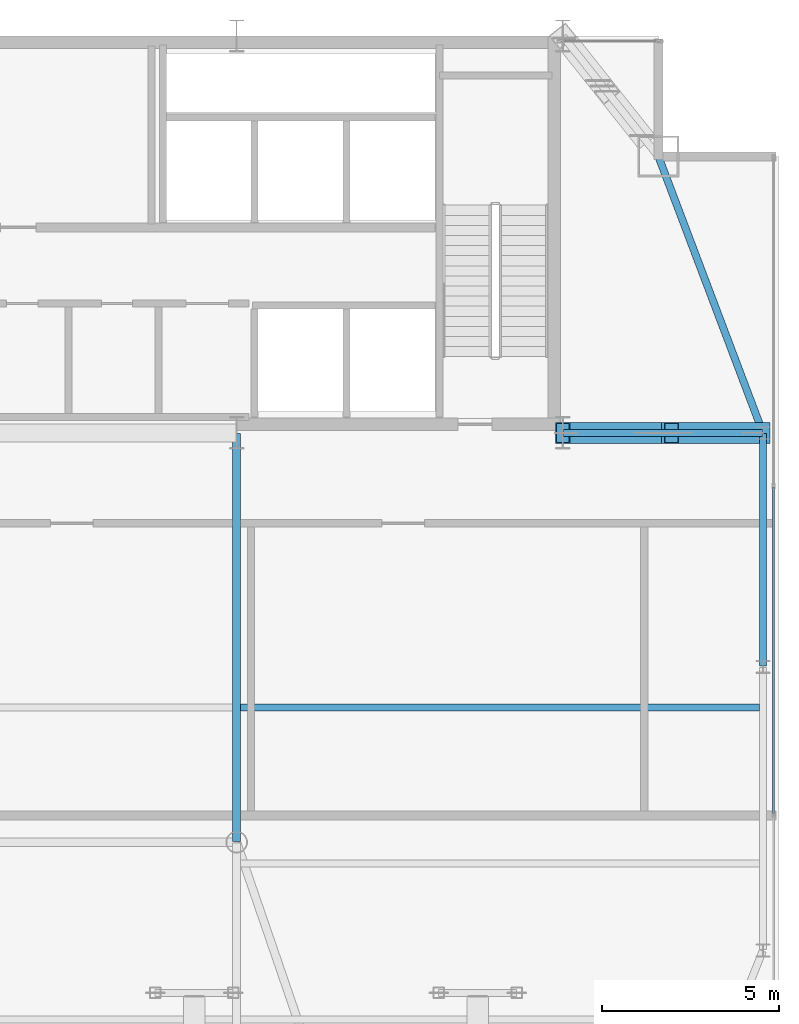
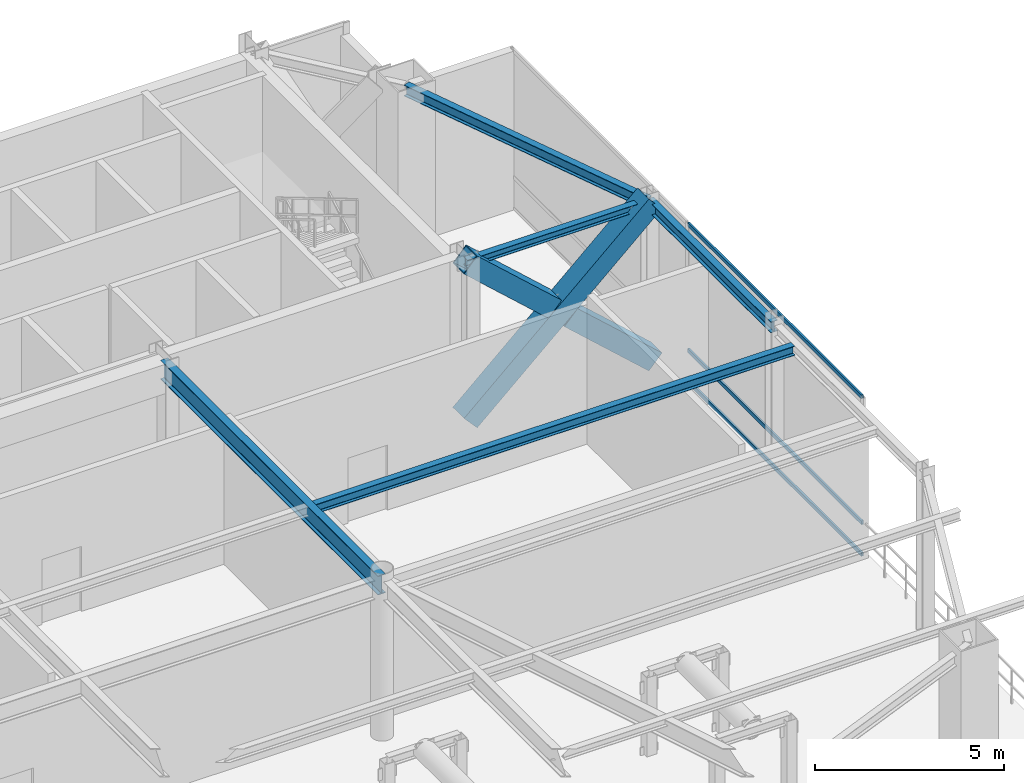
# One storey, part 11 of 21: 6 members, 5 beams, 1 element without a shape of its own.
"""IFC4 building model written with IfcOpenShell, lengths in metres."""

from ifc_helpers import new_model, si_unit, direction, frame, origin, origin_2d, place, context, subcontext, project, spatial, hollow_rectangle, i_section, extrude, source, transform, mapped, material, layer, layer_set, material_profile, profile_set, type_object, type_shapes, element, aggregate, save


model = new_model("IFC4")

# Units and contexts
model_context = context("Model", 3, precision=1e-05, world=origin(), true_north=direction((0.0, 1.0)))
body_context = subcontext(model_context, "Body", "Model", "MODEL_VIEW")
ifc_project = project(units=[si_unit("LENGTHUNIT", "METRE"), si_unit("AREAUNIT", "SQUARE_METRE"), si_unit("VOLUMEUNIT", "CUBIC_METRE"), si_unit("PLANEANGLEUNIT", "RADIAN"), si_unit("MASSUNIT", "GRAM", prefix="KILO")], contexts=[model_context])

# Site, building, storey
site_placement = place(None, origin())
site = spatial("IfcSite", under=ifc_project, at=site_placement, CompositionType="ELEMENT")
building_placement = place(site_placement, origin())
building = spatial("IfcBuilding", under=site, at=building_placement, Name="Varnel Quay Broadcast Tower", CompositionType="ELEMENT")
storey_placement = place(building_placement, frame((0.0, 0.0, 234.0)))
storey = spatial("IfcBuildingStorey", under=building, at=storey_placement, Name="L58", CompositionType="ELEMENT", Elevation=234.0)

# Beams
ifc_material_1 = material(Name="Structural Steel CSA G40.21 350W", Category="steel")
ifc_material_profile_1 = material_profile(ifc_material_1, i_section(OverallWidth=0.205078125, OverallDepth=0.35400390625, WebThickness=0.009521484375, FlangeThickness=0.016845703125, FilletRadius=0.012939453125, at=origin_2d()), Name="W360X79")
ifc_profile_set_1 = profile_set([ifc_material_profile_1], Name="Structural Steel CSA G40.21 350W")
beam_type_1 = type_object("IfcBeamType", Name="Beam_W360X79", PredefinedType="SPANDREL", material=ifc_profile_set_1)
shared_shape_1 = source(origin(), body_context, "Body", "SweptSolid", [
    extrude(i_section(OverallWidth=0.205078125, OverallDepth=0.35400390625, WebThickness=0.009521484375, FlangeThickness=0.016845703125, FilletRadius=0.012939453125, at=origin_2d()), origin(), (0.0, 0.0, 1.0), 6.56005859375),
])
beam_1_placement = place(storey_placement, frame((58.050048828125, 29.02001953125, 4.972900390625), z_axis=(0.0, 1.0, 0.0), x_axis=(-1.0, 0.0, 0.0)))
element("IfcBeam", 1, at=beam_1_placement, inside=storey, type_object=beam_type_1, Name="L58 East Spandrel TC-E2-TC-E3", PredefinedType="SPANDREL", context=body_context, shape_type="MappedRepresentation", body=[
    mapped(shared_shape_1, transform((0.0, 0.0, 0.0), x_axis=(1.0, 0.0, 0.0), y_axis=(0.0, 1.0, 0.0), z_axis=(0.0, 0.0, 1.0), scale=1.0)),
])
shared_shape_2 = source(origin(), body_context, "Body", "SweptSolid", [
    extrude(i_section(OverallWidth=0.205078125, OverallDepth=0.35400390625, WebThickness=0.009521484375, FlangeThickness=0.016845703125, FilletRadius=0.012939453125, at=origin_2d()), origin(), (0.0, 0.0, 1.0), 8.29931640625),
])
type_shapes(beam_type_1, [shared_shape_1, shared_shape_2])
beam_2_placement = place(storey_placement, frame((58.04296875, 35.61865234375, 4.972900390625), z_axis=(-0.353739782058, 0.935343876117, 0.0), x_axis=(-0.935343876117, -0.353739782058, 0.0)))
element("IfcBeam", 2, at=beam_2_placement, inside=storey, type_object=beam_type_1, Name="L58 East Spandrel TC-E3-MC-NE", PredefinedType="SPANDREL", context=body_context, shape_type="MappedRepresentation", body=[
    mapped(shared_shape_2, transform((0.0, 0.0, 0.0), x_axis=(1.0, 0.0, 0.0), y_axis=(0.0, 1.0, 0.0), z_axis=(0.0, 0.0, 1.0), scale=1.0)),
])
ifc_material_profile_2 = material_profile(ifc_material_1, i_section(OverallWidth=0.22998046875, OverallDepth=0.616943359375, WebThickness=0.01318359375, FlangeThickness=0.022216796875, FilletRadius=0.01611328125, at=origin_2d()), Name="W610X140")
ifc_profile_set_2 = profile_set([ifc_material_profile_2], Name="Structural Steel CSA G40.21 350W")
beam_type_2 = type_object("IfcBeamType", Name="Girder_W610X140", PredefinedType="BEAM", material=ifc_profile_set_2)
shared_shape_3 = source(origin(), body_context, "Body", "SweptSolid", [
    extrude(i_section(OverallWidth=0.22998046875, OverallDepth=0.616943359375, WebThickness=0.01318359375, FlangeThickness=0.022216796875, FilletRadius=0.01611328125, at=origin_2d()), origin(), (0.0, 0.0, 1.0), 11.510009765625),
])
type_shapes(beam_type_2, [shared_shape_3])
beam_3_placement = place(storey_placement, frame((43.199951171875, 24.070068359375, 4.841552734375), z_axis=(0.0, 1.0, 0.0), x_axis=(-1.0, 0.0, 0.0)))
element("IfcBeam", 3, at=beam_3_placement, inside=storey, type_object=beam_type_2, Name="L58 Primary Girder IC-02-CC-S4", PredefinedType="BEAM", context=body_context, shape_type="MappedRepresentation", body=[
    mapped(shared_shape_3, transform((0.0, 0.0, 0.0), x_axis=(1.0, 0.0, 0.0), y_axis=(0.0, 1.0, 0.0), z_axis=(0.0, 0.0, 1.0), scale=1.0)),
])
ifc_material_profile_3 = material_profile(ifc_material_1, i_section(OverallWidth=0.201904296875, OverallDepth=0.2470703125, WebThickness=0.00732421875, FlangeThickness=0.010986328125, FilletRadius=0.010986328125, at=origin_2d()), Name="W250X49")
ifc_profile_set_3 = profile_set([ifc_material_profile_3], Name="Structural Steel CSA G40.21 350W")
beam_type_3 = type_object("IfcBeamType", Name="Beam_W250X49", PredefinedType="JOIST", material=ifc_profile_set_3)
shared_shape_4 = source(origin(), body_context, "Body", "SweptSolid", [
    extrude(i_section(OverallWidth=0.201904296875, OverallDepth=0.2470703125, WebThickness=0.00732421875, FlangeThickness=0.010986328125, FilletRadius=0.010986328125, at=origin_2d()), origin(), (0.0, 0.0, 1.0), 5.610107421875),
])
type_shapes(beam_type_3, [shared_shape_4])
beam_4_placement = place(storey_placement, frame((52.419921875, 35.60009765625, 5.026611328125), z_axis=(1.0, 0.0, 0.0), x_axis=(0.0, 1.0, 0.0)))
element("IfcBeam", 4, at=beam_4_placement, inside=storey, type_object=beam_type_3, Name="L58 East Core Tie Joist", PredefinedType="JOIST", context=body_context, shape_type="MappedRepresentation", body=[
    mapped(shared_shape_4, transform((0.0, 0.0, 0.0), x_axis=(1.0, 0.0, 0.0), y_axis=(0.0, 1.0, 0.0), z_axis=(0.0, 0.0, 1.0), scale=1.0)),
])
ifc_material_profile_4 = material_profile(ifc_material_1, i_section(OverallWidth=0.202880859375, OverallDepth=0.302978515625, WebThickness=0.007568359375, FlangeThickness=0.01318359375, FilletRadius=0.011962890625, at=origin_2d()), Name="W310X60")
ifc_profile_set_4 = profile_set([ifc_material_profile_4], Name="Structural Steel CSA G40.21 350W")
beam_type_4 = type_object("IfcBeamType", Name="Beam_W310X60", PredefinedType="JOIST", material=ifc_profile_set_4)
shared_shape_5 = source(origin(), body_context, "Body", "SweptSolid", [
    extrude(i_section(OverallWidth=0.202880859375, OverallDepth=0.302978515625, WebThickness=0.007568359375, FlangeThickness=0.01318359375, FilletRadius=0.011962890625, at=origin_2d()), origin(), (0.0, 0.0, 1.0), 14.642333984375),
])
type_shapes(beam_type_4, [shared_shape_5])
beam_5_placement = place(storey_placement, frame((43.31005859375, 27.85009765625, 4.99853515625), z_axis=(1.0, 0.0, 0.0), x_axis=(0.0, 1.0, 0.0)))
element("IfcBeam", 5, at=beam_5_placement, inside=storey, type_object=beam_type_4, Name="L58 East Floor Joist 4", PredefinedType="JOIST", context=body_context, shape_type="MappedRepresentation", body=[
    mapped(shared_shape_5, transform((0.0, 0.0, 0.0), x_axis=(1.0, 0.0, 0.0), y_axis=(0.0, 1.0, 0.0), z_axis=(0.0, 0.0, 1.0), scale=1.0)),
])

# Members
ifc_material_2 = material(Name="Structural Steel CSA G40.21 350WT", Category="steel")
ifc_material_profile_5 = material_profile(ifc_material_2, hollow_rectangle(XDim=0.60009765625, YDim=0.60009765625, WallThickness=0.028076171875, at=origin_2d()), Name="BOX600X600X28")
ifc_profile_set_5 = profile_set([ifc_material_profile_5], Name="Structural Steel CSA G40.21 350WT")
member_type_1 = type_object("IfcMemberType", Name="Outrigger_BOX600X600X28", PredefinedType="BRACE", material=ifc_profile_set_5)
shared_shape_6 = source(origin(), body_context, "Body", "SweptSolid", [
    extrude(hollow_rectangle(XDim=0.60009765625, YDim=0.60009765625, WallThickness=0.028076171875, at=origin_2d()), origin(), (0.0, 0.0, 1.0), 7.6181640625),
])
member_1_placement = place(storey_placement, frame((52.39990234375, 35.60009765625, 0.02001953125), z_axis=(0.741677739008, 0.0, 0.670756387566), x_axis=(0.0, 1.0, 0.0)))
element("IfcMember", 6, at=member_1_placement, inside=storey, type_object=member_type_1, Name="L58 Outrigger E Continuous Diag A", PredefinedType="BRACE", context=body_context, shape_type="MappedRepresentation", body=[
    mapped(shared_shape_6, transform((0.0, 0.0, 0.0), x_axis=(1.0, 0.0, 0.0), y_axis=(0.0, 1.0, 0.0), z_axis=(0.0, 0.0, 1.0), scale=1.0)),
])
shared_shape_7 = source(origin(), body_context, "Body", "SweptSolid", [
    extrude(hollow_rectangle(XDim=0.60009765625, YDim=0.60009765625, WallThickness=0.028076171875, at=origin_2d()), origin(), (0.0, 0.0, 1.0), 3.482421875),
])
member_2_placement = place(storey_placement, frame((58.050048828125, 35.60009765625, 0.02001953125), z_axis=(-0.741657011106, 0.0, 0.670779306387), x_axis=(0.0, -1.0, 0.0)))
element("IfcMember", 7, at=member_2_placement, inside=storey, type_object=member_type_1, Name="L58 Outrigger E Split Diag B1", PredefinedType="BRACE", context=body_context, shape_type="MappedRepresentation", body=[
    mapped(shared_shape_7, transform((0.0, 0.0, 0.0), x_axis=(1.0, 0.0, 0.0), y_axis=(0.0, 1.0, 0.0), z_axis=(0.0, 0.0, 1.0), scale=1.0)),
])
shared_shape_8 = source(origin(), body_context, "Body", "SweptSolid", [
    extrude(hollow_rectangle(XDim=0.60009765625, YDim=0.60009765625, WallThickness=0.028076171875, at=origin_2d()), origin(), (0.0, 0.0, 1.0), 3.482666015625),
])
type_shapes(member_type_1, [shared_shape_6, shared_shape_7, shared_shape_8])
member_3_placement = place(storey_placement, frame((54.98291015625, 35.60009765625, 2.7939453125), z_axis=(-0.741688552722, 0.0, 0.670744430287), x_axis=(0.0, -1.0, 0.0)))
element("IfcMember", 8, at=member_3_placement, inside=storey, type_object=member_type_1, Name="L58 Outrigger E Split Diag B2", PredefinedType="BRACE", context=body_context, shape_type="MappedRepresentation", body=[
    mapped(shared_shape_8, transform((0.0, 0.0, 0.0), x_axis=(1.0, 0.0, 0.0), y_axis=(0.0, 1.0, 0.0), z_axis=(0.0, 0.0, 1.0), scale=1.0)),
])

# Curtain wall, members
ifc_material_3 = material(Name="Anodised Bronze Aluminium 6063-T6", Category="aluminium")
ifc_layer = layer(ifc_material_3, 0.18994140625, Name="Anodised Bronze Aluminium 6063-T6")
ifc_layer_set = layer_set([ifc_layer], Name="Anodised Bronze Aluminium 6063-T6")
curtain_wall_type = type_object("IfcCurtainWallType", Name="CW_UpperTower", PredefinedType="NOTDEFINED", material=ifc_layer_set)
curtain_wall_placement = place(storey_placement, origin())
curtain_wall = element("IfcCurtainWall", 9, at=curtain_wall_placement, inside=storey, type_object=curtain_wall_type, Name="L58 East Plant Curtain Wall", PredefinedType="NOTDEFINED")
ifc_material_profile_6 = material_profile(ifc_material_3, hollow_rectangle(XDim=0.06005859375, YDim=0.125, WallThickness=0.0029296875, at=origin_2d()), Name="ALU60X125X3")
ifc_profile_set_6 = profile_set([ifc_material_profile_6], Name="Anodised Bronze Aluminium 6063-T6")
member_type_2 = type_object("IfcMemberType", Name="Tran_CWS-03", PredefinedType="USERDEFINED", material=ifc_profile_set_6)
shared_shape_9 = source(origin(), body_context, "Body", "SweptSolid", [
    extrude(hollow_rectangle(XDim=0.06005859375, YDim=0.125, WallThickness=0.0029296875, at=origin_2d()), origin(), (0.0, 0.0, 1.0), 9.202392578125),
])
type_shapes(member_type_2, [shared_shape_9])
member_4_placement = place(storey_placement, frame((58.35009765625, 24.864990234375, 0.030029296875), z_axis=(0.0, 1.0, 0.0), x_axis=(-1.0, 0.0, 0.0)))
member_4 = element("IfcMember", 10, at=member_4_placement, type_object=member_type_2, Name="CWS-03 transom 1.1", ObjectType="TRANSOM", PredefinedType="USERDEFINED", context=body_context, shape_type="MappedRepresentation", body=[
    mapped(shared_shape_9, transform((0.0, 0.0, 0.0), x_axis=(1.0, 0.0, 0.0), y_axis=(0.0, 1.0, 0.0), z_axis=(0.0, 0.0, 1.0), scale=1.0)),
])
member_5_placement = place(storey_placement, frame((58.35009765625, 24.864990234375, 1.050048828125), z_axis=(0.0, 1.0, 0.0), x_axis=(-1.0, 0.0, 0.0)))
member_5 = element("IfcMember", 11, at=member_5_placement, type_object=member_type_2, Name="CWS-03 transom 1.2", ObjectType="TRANSOM", PredefinedType="USERDEFINED", context=body_context, shape_type="MappedRepresentation", body=[
    mapped(shared_shape_9, transform((0.0, 0.0, 0.0), x_axis=(1.0, 0.0, 0.0), y_axis=(0.0, 1.0, 0.0), z_axis=(0.0, 0.0, 1.0), scale=1.0)),
])
member_6_placement = place(storey_placement, frame((58.35009765625, 24.864990234375, 5.1201171875), z_axis=(0.0, 1.0, 0.0), x_axis=(-1.0, 0.0, 0.0)))
member_6 = element("IfcMember", 12, at=member_6_placement, type_object=member_type_2, Name="CWS-03 transom 1.3", ObjectType="TRANSOM", PredefinedType="USERDEFINED", context=body_context, shape_type="MappedRepresentation", body=[
    mapped(shared_shape_9, transform((0.0, 0.0, 0.0), x_axis=(1.0, 0.0, 0.0), y_axis=(0.0, 1.0, 0.0), z_axis=(0.0, 0.0, 1.0), scale=1.0)),
])
aggregate(curtain_wall, [member_4, member_5, member_6])

save(model, "model.ifc")
